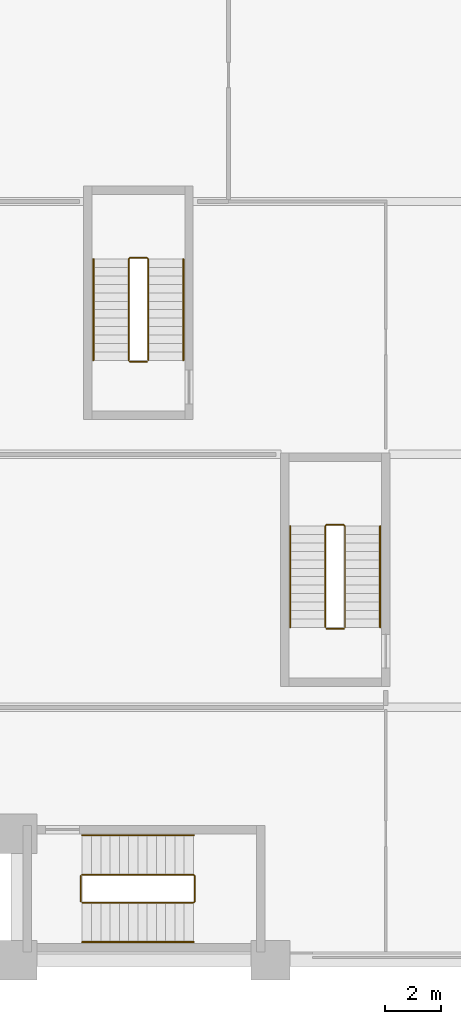
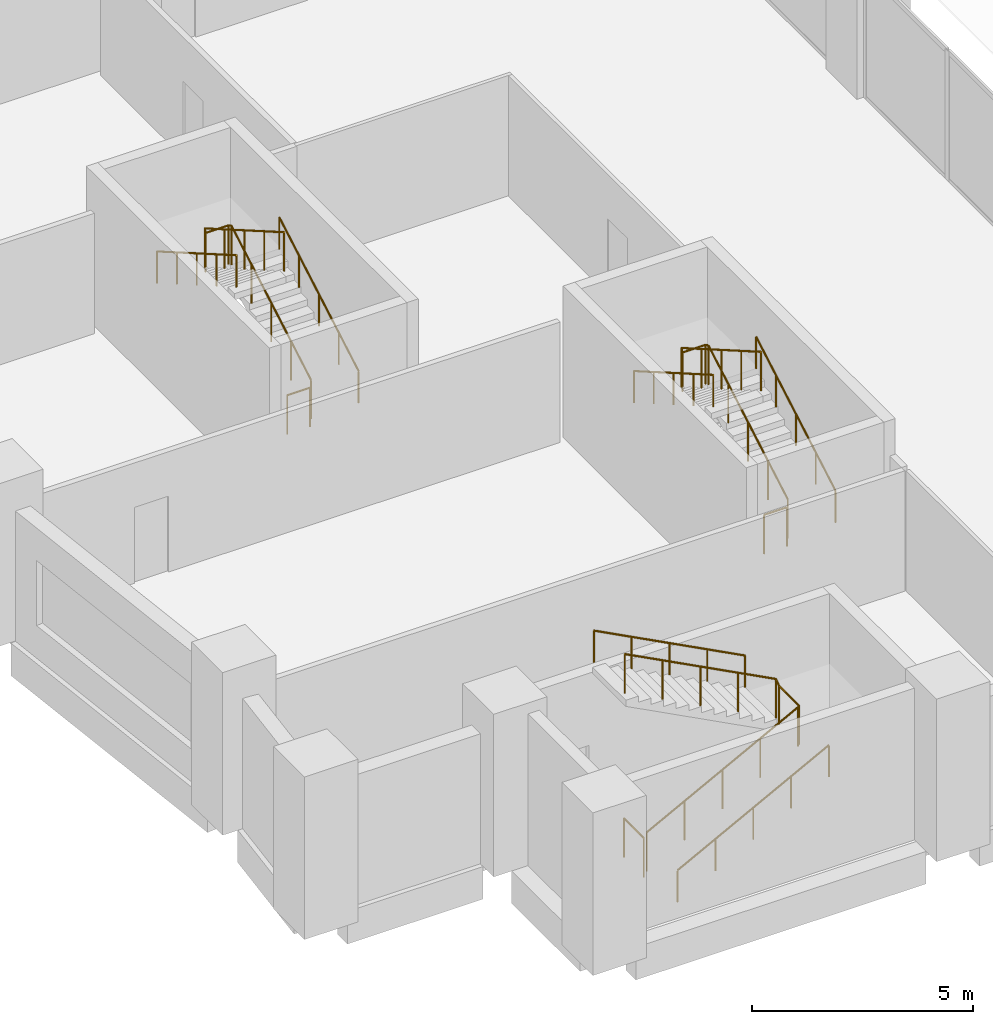
# One storey, part 15 of 18: 12 railings.
"""IFC4 building model written with IfcOpenShell, lengths in metres."""

from ifc_helpers import new_model, si_unit, direction, frame, origin, origin_2d, place, context, subcontext, project, spatial, circle, extrude, material, type_object, element, save


model = new_model("IFC4")

# Units and contexts
model_context = context("Model", 3, precision=1e-05, world=origin(), true_north=direction((0.0, 1.0)))
body_context = subcontext(model_context, "Body", "Model", "MODEL_VIEW")
ifc_project = project(units=[si_unit("LENGTHUNIT", "METRE"), si_unit("AREAUNIT", "SQUARE_METRE"), si_unit("VOLUMEUNIT", "CUBIC_METRE"), si_unit("PLANEANGLEUNIT", "RADIAN"), si_unit("MASSUNIT", "GRAM", prefix="KILO")], contexts=[model_context])

# Site, building, storey
site_placement = place(None, origin())
site = spatial("IfcSite", under=ifc_project, at=site_placement, CompositionType="ELEMENT")
building_placement = place(site_placement, origin())
building = spatial("IfcBuilding", under=site, at=building_placement, Name="Brondeck Convention Tower", CompositionType="ELEMENT")
storey_placement = place(building_placement, frame((0.0, 0.0, 27.5)))
storey = spatial("IfcBuildingStorey", under=building, at=storey_placement, Name="L04", CompositionType="ELEMENT", Elevation=27.5)

# Railings
ifc_material = material(Name="Steel S355", Category="steel")
railing_type_1 = type_object("IfcRailingType", Name="Stair guard 1100", PredefinedType="GUARDRAIL", material=ifc_material)
railing_1_placement = place(storey_placement, frame((9.14990234375, 21.35009765625, 0.173095703125)))
element("IfcRailing", 1, at=railing_1_placement, inside=storey, type_object=railing_type_1, Name="L04 ST-BE stair guard 1", PredefinedType="GUARDRAIL", context=body_context, shape_type="SweptSolid", body=[
    extrude(circle(Radius=0.02392578125, at=origin_2d()), frame((0.0, 0.0, 1.076171875), z_axis=(0.0, 0.866178740119, 0.499734319579), x_axis=(-1.0, 0.0, 0.0)), (0.0, 0.0, 1.0), 4.156005859375),
    extrude(circle(Radius=0.02392578125, at=origin_2d()), frame((0.0, 3.599853515625, 3.15283203125), z_axis=(-0.705375805398, 0.708833529934, 0.0), x_axis=(-0.708833529934, -0.705375805398, 0.0)), (0.0, 0.0, 1.0), 0.070556640625),
    extrude(circle(Radius=0.02392578125, at=origin_2d()), frame((-0.0498046875, 3.64990234375, 3.15283203125), z_axis=(-1.0, 0.0, 0.0), x_axis=(0.0, -1.0, 0.0)), (0.0, 0.0, 1.0), 0.60009765625),
    extrude(circle(Radius=0.02392578125, at=origin_2d()), frame((-0.64990234375, 3.64990234375, 3.15283203125), z_axis=(-0.267629722418, -0.267629722418, 0.925607186314), x_axis=(0.707106781187, -0.707106781187, 0.0)), (0.0, 0.0, 1.0), 0.18701171875),
    extrude(circle(Radius=0.02392578125, at=origin_2d()), frame((-0.699951171875, 3.599853515625, 3.326171875), z_axis=(0.0, -0.866178740119, 0.499734319579), x_axis=(1.0, 0.0, 0.0)), (0.0, 0.0, 1.0), 4.156005859375),
    extrude(circle(Radius=0.02099609375, at=origin_2d()), origin(), (0.0, 0.0, 1.0), 1.052001953125),
    extrude(circle(Radius=0.02099609375, at=origin_2d()), frame((0.0, 0.89990234375, 0.519287109375)), (0.0, 0.0, 1.0), 1.052001953125),
    extrude(circle(Radius=0.02099609375, at=origin_2d()), frame((0.0, 1.7998046875, 1.03857421875)), (0.0, 0.0, 1.0), 1.052001953125),
    extrude(circle(Radius=0.02099609375, at=origin_2d()), frame((0.0, 2.699951171875, 1.5576171875)), (0.0, 0.0, 1.0), 1.052001953125),
    extrude(circle(Radius=0.02099609375, at=origin_2d()), frame((0.0, 3.599853515625, 2.076904296875)), (0.0, 0.0, 1.0), 1.052001953125),
    extrude(circle(Radius=0.02099609375, at=origin_2d()), frame((-0.0498046875, 3.64990234375, 2.076904296875)), (0.0, 0.0, 1.0), 1.052001953125),
    extrude(circle(Radius=0.02099609375, at=origin_2d()), frame((-0.64990234375, 3.64990234375, 2.076904296875)), (0.0, 0.0, 1.0), 1.052001953125),
    extrude(circle(Radius=0.02099609375, at=origin_2d()), frame((-0.699951171875, 3.599853515625, 2.25)), (0.0, 0.0, 1.0), 1.052001953125),
    extrude(circle(Radius=0.02099609375, at=origin_2d()), frame((-0.699951171875, 2.699951171875, 2.769287109375)), (0.0, 0.0, 1.0), 1.052001953125),
    extrude(circle(Radius=0.02099609375, at=origin_2d()), frame((-0.699951171875, 1.7998046875, 3.28857421875)), (0.0, 0.0, 1.0), 1.052001953125),
    extrude(circle(Radius=0.02099609375, at=origin_2d()), frame((-0.699951171875, 0.89990234375, 3.8076171875)), (0.0, 0.0, 1.0), 1.052001953125),
    extrude(circle(Radius=0.02099609375, at=origin_2d()), frame((-0.699951171875, 0.0, 4.326904296875)), (0.0, 0.0, 1.0), 1.052001953125),
])
railing_2_placement = place(storey_placement, frame((9.10009765625, 21.300048828125, 0.0)))
element("IfcRailing", 2, at=railing_2_placement, inside=storey, type_object=railing_type_1, Name="L04 ST-BE stair guard 2", PredefinedType="GUARDRAIL", context=body_context, shape_type="SweptSolid", body=[
    extrude(circle(Radius=0.02392578125, at=origin_2d()), frame((0.0, 0.0, 1.076171875), z_axis=(-1.0, 0.0, 0.0), x_axis=(0.0, -1.0, 0.0)), (0.0, 0.0, 1.0), 0.60009765625),
    extrude(circle(Radius=0.02099609375, at=origin_2d()), origin(), (0.0, 0.0, 1.0), 1.052001953125),
    extrude(circle(Radius=0.02099609375, at=origin_2d()), frame((-0.60009765625, 0.0, 0.0)), (0.0, 0.0, 1.0), 1.052001953125),
])
railing_3_placement = place(storey_placement, frame((16.14990234375, 11.85009765625, 0.173095703125)))
element("IfcRailing", 3, at=railing_3_placement, inside=storey, type_object=railing_type_1, Name="L04 ST-BF stair guard 1", PredefinedType="GUARDRAIL", context=body_context, shape_type="SweptSolid", body=[
    extrude(circle(Radius=0.02392578125, at=origin_2d()), frame((0.0, 0.0, 1.076171875), z_axis=(0.0, 0.866178740119, 0.499734319579), x_axis=(-1.0, 0.0, 0.0)), (0.0, 0.0, 1.0), 4.156005859375),
    extrude(circle(Radius=0.02392578125, at=origin_2d()), frame((0.0, 3.599853515625, 3.15283203125), z_axis=(-0.705375805398, 0.708833529934, 0.0), x_axis=(-0.708833529934, -0.705375805398, 0.0)), (0.0, 0.0, 1.0), 0.070556640625),
    extrude(circle(Radius=0.02392578125, at=origin_2d()), frame((-0.0498046875, 3.64990234375, 3.15283203125), z_axis=(-1.0, 0.0, 0.0), x_axis=(0.0, -1.0, 0.0)), (0.0, 0.0, 1.0), 0.60009765625),
    extrude(circle(Radius=0.02392578125, at=origin_2d()), frame((-0.64990234375, 3.64990234375, 3.15283203125), z_axis=(-0.267629722418, -0.267629722418, 0.925607186314), x_axis=(0.707106781187, -0.707106781187, 0.0)), (0.0, 0.0, 1.0), 0.18701171875),
    extrude(circle(Radius=0.02392578125, at=origin_2d()), frame((-0.699951171875, 3.599853515625, 3.326171875), z_axis=(0.0, -0.866178740119, 0.499734319579), x_axis=(1.0, 0.0, 0.0)), (0.0, 0.0, 1.0), 4.156005859375),
    extrude(circle(Radius=0.02099609375, at=origin_2d()), origin(), (0.0, 0.0, 1.0), 1.052001953125),
    extrude(circle(Radius=0.02099609375, at=origin_2d()), frame((0.0, 0.89990234375, 0.519287109375)), (0.0, 0.0, 1.0), 1.052001953125),
    extrude(circle(Radius=0.02099609375, at=origin_2d()), frame((0.0, 1.7998046875, 1.03857421875)), (0.0, 0.0, 1.0), 1.052001953125),
    extrude(circle(Radius=0.02099609375, at=origin_2d()), frame((0.0, 2.699951171875, 1.5576171875)), (0.0, 0.0, 1.0), 1.052001953125),
    extrude(circle(Radius=0.02099609375, at=origin_2d()), frame((0.0, 3.599853515625, 2.076904296875)), (0.0, 0.0, 1.0), 1.052001953125),
    extrude(circle(Radius=0.02099609375, at=origin_2d()), frame((-0.0498046875, 3.64990234375, 2.076904296875)), (0.0, 0.0, 1.0), 1.052001953125),
    extrude(circle(Radius=0.02099609375, at=origin_2d()), frame((-0.64990234375, 3.64990234375, 2.076904296875)), (0.0, 0.0, 1.0), 1.052001953125),
    extrude(circle(Radius=0.02099609375, at=origin_2d()), frame((-0.699951171875, 3.599853515625, 2.25)), (0.0, 0.0, 1.0), 1.052001953125),
    extrude(circle(Radius=0.02099609375, at=origin_2d()), frame((-0.699951171875, 2.699951171875, 2.769287109375)), (0.0, 0.0, 1.0), 1.052001953125),
    extrude(circle(Radius=0.02099609375, at=origin_2d()), frame((-0.699951171875, 1.7998046875, 3.28857421875)), (0.0, 0.0, 1.0), 1.052001953125),
    extrude(circle(Radius=0.02099609375, at=origin_2d()), frame((-0.699951171875, 0.89990234375, 3.8076171875)), (0.0, 0.0, 1.0), 1.052001953125),
    extrude(circle(Radius=0.02099609375, at=origin_2d()), frame((-0.699951171875, 0.0, 4.326904296875)), (0.0, 0.0, 1.0), 1.052001953125),
])
railing_4_placement = place(storey_placement, frame((16.10009765625, 11.800048828125, 0.0)))
element("IfcRailing", 4, at=railing_4_placement, inside=storey, type_object=railing_type_1, Name="L04 ST-BF stair guard 2", PredefinedType="GUARDRAIL", context=body_context, shape_type="SweptSolid", body=[
    extrude(circle(Radius=0.02392578125, at=origin_2d()), frame((0.0, 0.0, 1.076171875), z_axis=(-1.0, 0.0, 0.0), x_axis=(0.0, -1.0, 0.0)), (0.0, 0.0, 1.0), 0.60009765625),
    extrude(circle(Radius=0.02099609375, at=origin_2d()), origin(), (0.0, 0.0, 1.0), 1.052001953125),
    extrude(circle(Radius=0.02099609375, at=origin_2d()), frame((-0.60009765625, 0.0, 0.0)), (0.0, 0.0, 1.0), 1.052001953125),
])
railing_5_placement = place(storey_placement, frame((6.800048828125, 2.050048828125, 0.173095703125)))
element("IfcRailing", 5, at=railing_5_placement, inside=storey, type_object=railing_type_1, Name="L04 PS-2 stair guard 1", PredefinedType="GUARDRAIL", context=body_context, shape_type="SweptSolid", body=[
    extrude(circle(Radius=0.02392578125, at=origin_2d()), frame((0.0, 0.0, 1.076171875), z_axis=(0.885588829464, 0.0, 0.464470047611), x_axis=(0.0, 1.0, 0.0)), (0.0, 0.0, 1.0), 4.471435546875),
    extrude(circle(Radius=0.02392578125, at=origin_2d()), frame((3.9599609375, 0.0, 3.15283203125), z_axis=(0.707106781187, 0.707106781187, 0.0), x_axis=(-0.707106781187, 0.707106781187, 0.0)), (0.0, 0.0, 1.0), 0.07080078125),
    extrude(circle(Radius=0.02392578125, at=origin_2d()), frame((4.010009765625, 0.050048828125, 3.15283203125), z_axis=(0.0, 1.0, 0.0), x_axis=(-1.0, 0.0, 0.0)), (0.0, 0.0, 1.0), 0.89990234375),
    extrude(circle(Radius=0.02392578125, at=origin_2d()), frame((4.010009765625, 0.949951171875, 3.15283203125), z_axis=(-0.267629722418, 0.267629722418, 0.925607186314), x_axis=(-0.707106781187, -0.707106781187, 0.0)), (0.0, 0.0, 1.0), 0.18701171875),
    extrude(circle(Radius=0.02392578125, at=origin_2d()), frame((3.9599609375, 1.0, 3.326171875), z_axis=(-0.885588829464, 0.0, 0.464470047611), x_axis=(0.0, -1.0, 0.0)), (0.0, 0.0, 1.0), 4.471435546875),
    extrude(circle(Radius=0.02099609375, at=origin_2d()), origin(), (0.0, 0.0, 1.0), 1.052001953125),
    extrude(circle(Radius=0.02099609375, at=origin_2d()), frame((0.989990234375, 0.0, 0.519287109375)), (0.0, 0.0, 1.0), 1.052001953125),
    extrude(circle(Radius=0.02099609375, at=origin_2d()), frame((1.97998046875, 0.0, 1.03857421875)), (0.0, 0.0, 1.0), 1.052001953125),
    extrude(circle(Radius=0.02099609375, at=origin_2d()), frame((2.969970703125, 0.0, 1.5576171875)), (0.0, 0.0, 1.0), 1.052001953125),
    extrude(circle(Radius=0.02099609375, at=origin_2d()), frame((3.9599609375, 0.0, 2.076904296875)), (0.0, 0.0, 1.0), 1.052001953125),
    extrude(circle(Radius=0.02099609375, at=origin_2d()), frame((4.010009765625, 0.050048828125, 2.076904296875)), (0.0, 0.0, 1.0), 1.052001953125),
    extrude(circle(Radius=0.02099609375, at=origin_2d()), frame((4.010009765625, 0.949951171875, 2.076904296875)), (0.0, 0.0, 1.0), 1.052001953125),
    extrude(circle(Radius=0.02099609375, at=origin_2d()), frame((3.9599609375, 1.0, 2.25)), (0.0, 0.0, 1.0), 1.052001953125),
    extrude(circle(Radius=0.02099609375, at=origin_2d()), frame((2.969970703125, 1.0, 2.769287109375)), (0.0, 0.0, 1.0), 1.052001953125),
    extrude(circle(Radius=0.02099609375, at=origin_2d()), frame((1.97998046875, 1.0, 3.28857421875)), (0.0, 0.0, 1.0), 1.052001953125),
    extrude(circle(Radius=0.02099609375, at=origin_2d()), frame((0.989990234375, 1.0, 3.8076171875)), (0.0, 0.0, 1.0), 1.052001953125),
    extrude(circle(Radius=0.02099609375, at=origin_2d()), frame((0.0, 1.0, 4.326904296875)), (0.0, 0.0, 1.0), 1.052001953125),
])
railing_6_placement = place(storey_placement, frame((6.75, 2.10009765625, 0.0)))
element("IfcRailing", 6, at=railing_6_placement, inside=storey, type_object=railing_type_1, Name="L04 PS-2 stair guard 2", PredefinedType="GUARDRAIL", context=body_context, shape_type="SweptSolid", body=[
    extrude(circle(Radius=0.02392578125, at=origin_2d()), frame((0.0, 0.0, 1.076171875), z_axis=(0.0, 1.0, 0.0), x_axis=(-1.0, 0.0, 0.0)), (0.0, 0.0, 1.0), 0.89990234375),
    extrude(circle(Radius=0.02099609375, at=origin_2d()), origin(), (0.0, 0.0, 1.0), 1.052001953125),
    extrude(circle(Radius=0.02099609375, at=origin_2d()), frame((0.0, 0.89990234375, 0.0)), (0.0, 0.0, 1.0), 1.052001953125),
])
railing_type_2 = type_object("IfcRailingType", Name="Stair handrail", PredefinedType="HANDRAIL", material=ifc_material)
railing_7_placement = place(storey_placement, frame((10.39990234375, 21.35009765625, 0.173095703125)))
element("IfcRailing", 7, at=railing_7_placement, inside=storey, type_object=railing_type_2, Name="L04 ST-BE stair handrail 1", PredefinedType="HANDRAIL", context=body_context, shape_type="SweptSolid", body=[
    extrude(circle(Radius=0.02392578125, at=origin_2d()), frame((0.0, 0.0, 0.8759765625), z_axis=(0.0, 0.866178740119, 0.499734319579), x_axis=(-1.0, 0.0, 0.0)), (0.0, 0.0, 1.0), 4.156005859375),
    extrude(circle(Radius=0.02099609375, at=origin_2d()), origin(), (0.0, 0.0, 1.0), 0.851806640625),
    extrude(circle(Radius=0.02099609375, at=origin_2d()), frame((0.0, 0.89990234375, 0.519287109375)), (0.0, 0.0, 1.0), 0.851806640625),
    extrude(circle(Radius=0.02099609375, at=origin_2d()), frame((0.0, 1.7998046875, 1.03857421875)), (0.0, 0.0, 1.0), 0.851806640625),
    extrude(circle(Radius=0.02099609375, at=origin_2d()), frame((0.0, 2.699951171875, 1.5576171875)), (0.0, 0.0, 1.0), 0.851806640625),
    extrude(circle(Radius=0.02099609375, at=origin_2d()), frame((0.0, 3.599853515625, 2.076904296875)), (0.0, 0.0, 1.0), 0.851806640625),
])
railing_8_placement = place(storey_placement, frame((7.199951171875, 24.949951171875, 2.423095703125)))
element("IfcRailing", 8, at=railing_8_placement, inside=storey, type_object=railing_type_2, Name="L04 ST-BE stair handrail 2", PredefinedType="HANDRAIL", context=body_context, shape_type="SweptSolid", body=[
    extrude(circle(Radius=0.02392578125, at=origin_2d()), frame((0.0, 0.0, 0.8759765625), z_axis=(0.0, -0.866178740119, 0.499734319579), x_axis=(1.0, 0.0, 0.0)), (0.0, 0.0, 1.0), 4.156005859375),
    extrude(circle(Radius=0.02099609375, at=origin_2d()), origin(), (0.0, 0.0, 1.0), 0.851806640625),
    extrude(circle(Radius=0.02099609375, at=origin_2d()), frame((0.0, -0.89990234375, 0.519287109375)), (0.0, 0.0, 1.0), 0.851806640625),
    extrude(circle(Radius=0.02099609375, at=origin_2d()), frame((0.0, -1.7998046875, 1.03857421875)), (0.0, 0.0, 1.0), 0.851806640625),
    extrude(circle(Radius=0.02099609375, at=origin_2d()), frame((0.0, -2.699951171875, 1.5576171875)), (0.0, 0.0, 1.0), 0.851806640625),
    extrude(circle(Radius=0.02099609375, at=origin_2d()), frame((0.0, -3.599853515625, 2.076904296875)), (0.0, 0.0, 1.0), 0.851806640625),
])
railing_9_placement = place(storey_placement, frame((17.39990234375, 11.85009765625, 0.173095703125)))
element("IfcRailing", 9, at=railing_9_placement, inside=storey, type_object=railing_type_2, Name="L04 ST-BF stair handrail 1", PredefinedType="HANDRAIL", context=body_context, shape_type="SweptSolid", body=[
    extrude(circle(Radius=0.02392578125, at=origin_2d()), frame((0.0, 0.0, 0.8759765625), z_axis=(0.0, 0.866178740119, 0.499734319579), x_axis=(-1.0, 0.0, 0.0)), (0.0, 0.0, 1.0), 4.156005859375),
    extrude(circle(Radius=0.02099609375, at=origin_2d()), origin(), (0.0, 0.0, 1.0), 0.851806640625),
    extrude(circle(Radius=0.02099609375, at=origin_2d()), frame((0.0, 0.89990234375, 0.519287109375)), (0.0, 0.0, 1.0), 0.851806640625),
    extrude(circle(Radius=0.02099609375, at=origin_2d()), frame((0.0, 1.7998046875, 1.03857421875)), (0.0, 0.0, 1.0), 0.851806640625),
    extrude(circle(Radius=0.02099609375, at=origin_2d()), frame((0.0, 2.699951171875, 1.5576171875)), (0.0, 0.0, 1.0), 0.851806640625),
    extrude(circle(Radius=0.02099609375, at=origin_2d()), frame((0.0, 3.599853515625, 2.076904296875)), (0.0, 0.0, 1.0), 0.851806640625),
])
railing_10_placement = place(storey_placement, frame((14.199951171875, 15.449951171875, 2.423095703125)))
element("IfcRailing", 10, at=railing_10_placement, inside=storey, type_object=railing_type_2, Name="L04 ST-BF stair handrail 2", PredefinedType="HANDRAIL", context=body_context, shape_type="SweptSolid", body=[
    extrude(circle(Radius=0.02392578125, at=origin_2d()), frame((0.0, 0.0, 0.8759765625), z_axis=(0.0, -0.866178740119, 0.499734319579), x_axis=(1.0, 0.0, 0.0)), (0.0, 0.0, 1.0), 4.156005859375),
    extrude(circle(Radius=0.02099609375, at=origin_2d()), origin(), (0.0, 0.0, 1.0), 0.851806640625),
    extrude(circle(Radius=0.02099609375, at=origin_2d()), frame((0.0, -0.89990234375, 0.519287109375)), (0.0, 0.0, 1.0), 0.851806640625),
    extrude(circle(Radius=0.02099609375, at=origin_2d()), frame((0.0, -1.7998046875, 1.03857421875)), (0.0, 0.0, 1.0), 0.851806640625),
    extrude(circle(Radius=0.02099609375, at=origin_2d()), frame((0.0, -2.699951171875, 1.5576171875)), (0.0, 0.0, 1.0), 0.851806640625),
    extrude(circle(Radius=0.02099609375, at=origin_2d()), frame((0.0, -3.599853515625, 2.076904296875)), (0.0, 0.0, 1.0), 0.851806640625),
])
railing_11_placement = place(storey_placement, frame((6.800048828125, 0.64990234375, 0.173095703125)))
element("IfcRailing", 11, at=railing_11_placement, inside=storey, type_object=railing_type_2, Name="L04 PS-2 stair handrail 1", PredefinedType="HANDRAIL", context=body_context, shape_type="SweptSolid", body=[
    extrude(circle(Radius=0.02392578125, at=origin_2d()), frame((0.0, 0.0, 0.8759765625), z_axis=(0.885588829464, 0.0, 0.464470047611), x_axis=(0.0, 1.0, 0.0)), (0.0, 0.0, 1.0), 4.471435546875),
    extrude(circle(Radius=0.02099609375, at=origin_2d()), origin(), (0.0, 0.0, 1.0), 0.851806640625),
    extrude(circle(Radius=0.02099609375, at=origin_2d()), frame((0.989990234375, 0.0, 0.519287109375)), (0.0, 0.0, 1.0), 0.851806640625),
    extrude(circle(Radius=0.02099609375, at=origin_2d()), frame((1.97998046875, 0.0, 1.03857421875)), (0.0, 0.0, 1.0), 0.851806640625),
    extrude(circle(Radius=0.02099609375, at=origin_2d()), frame((2.969970703125, 0.0, 1.5576171875)), (0.0, 0.0, 1.0), 0.851806640625),
    extrude(circle(Radius=0.02099609375, at=origin_2d()), frame((3.9599609375, 0.0, 2.076904296875)), (0.0, 0.0, 1.0), 0.851806640625),
])
railing_12_placement = place(storey_placement, frame((10.760009765625, 4.449951171875, 2.423095703125)))
element("IfcRailing", 12, at=railing_12_placement, inside=storey, type_object=railing_type_2, Name="L04 PS-2 stair handrail 2", PredefinedType="HANDRAIL", context=body_context, shape_type="SweptSolid", body=[
    extrude(circle(Radius=0.02392578125, at=origin_2d()), frame((0.0, 0.0, 0.8759765625), z_axis=(-0.885588829464, 0.0, 0.464470047611), x_axis=(0.0, -1.0, 0.0)), (0.0, 0.0, 1.0), 4.471435546875),
    extrude(circle(Radius=0.02099609375, at=origin_2d()), origin(), (0.0, 0.0, 1.0), 0.851806640625),
    extrude(circle(Radius=0.02099609375, at=origin_2d()), frame((-0.989990234375, 0.0, 0.519287109375)), (0.0, 0.0, 1.0), 0.851806640625),
    extrude(circle(Radius=0.02099609375, at=origin_2d()), frame((-1.97998046875, 0.0, 1.03857421875)), (0.0, 0.0, 1.0), 0.851806640625),
    extrude(circle(Radius=0.02099609375, at=origin_2d()), frame((-2.969970703125, 0.0, 1.5576171875)), (0.0, 0.0, 1.0), 0.851806640625),
    extrude(circle(Radius=0.02099609375, at=origin_2d()), frame((-3.9599609375, 0.0, 2.076904296875)), (0.0, 0.0, 1.0), 0.851806640625),
])

save(model, "model.ifc")
